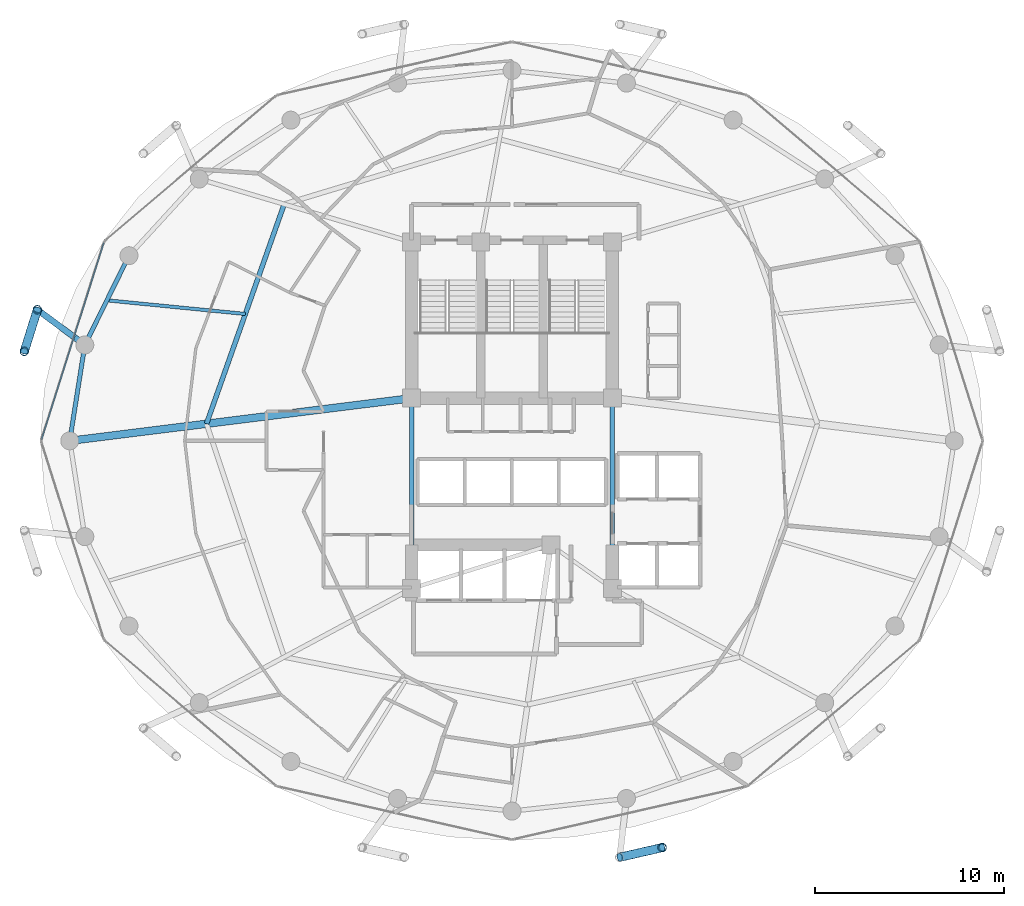
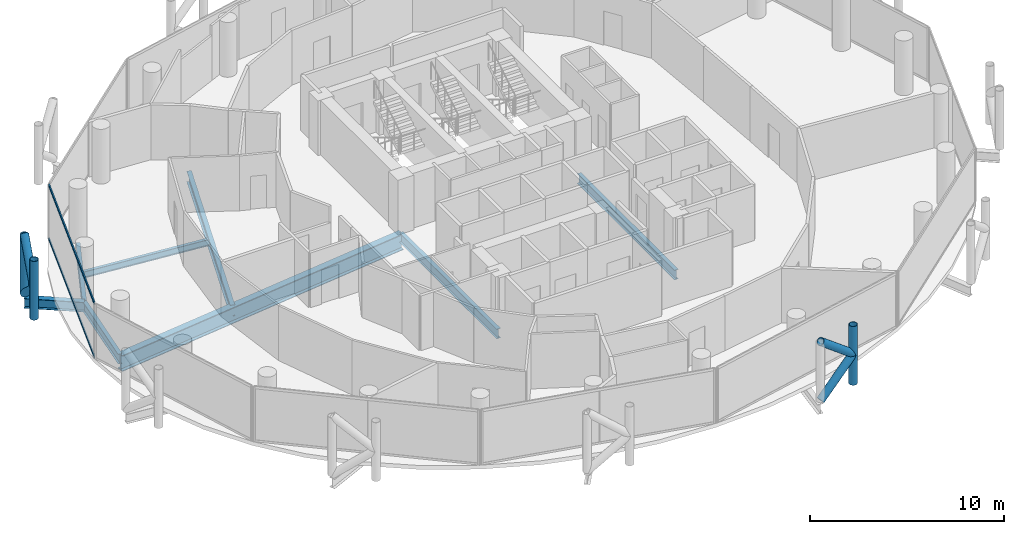
# One storey, part 7 of 26: 9 members, 8 beams, 1 element without a shape of its own.
"""IFC4 building model written with IfcOpenShell, lengths in metres."""

import ifcopenshell
import ifcopenshell.guid

model = None  # the IFC model being written
_history = None  # IfcOwnerHistory: only IFC2X3 demands one
_inside = {}  # id of a spatial element -> (the spatial element, [elements in it])
_under = {}  # id of a project, library or spatial element -> (it, [spatial elements below it])
_declared = {}  # id of a project -> (the project, [libraries it declares])
_typed = {}  # id of a type object -> (the type object, [elements of that type])
_made_of = {}  # id of a material, layer set ... -> (it, [elements and type objects made of it])


def new_model(schema):
    """Start an empty IFC model of exactly this schema.

    Asked for "IFC4X3", IfcOpenShell would pick the latest addendum, in which some entities
    have other attributes; the version numbers below select the first issue.
    IFC2X3 requires an IfcOwnerHistory on every rooted entity: one is made here for all.
    """
    global model, _history
    if schema == "IFC4X3":
        model = ifcopenshell.file(schema_version=(4, 3, 0, 0))
    else:
        model = ifcopenshell.file(schema=schema)
    _inside.clear()
    _under.clear()
    _declared.clear()
    _typed.clear()
    _made_of.clear()
    _history = None
    if model.schema == "IFC2X3":
        org = make("IfcOrganization", Name="unknown")
        user = make(
            "IfcPersonAndOrganization",
            ThePerson=make("IfcPerson", FamilyName="unknown"),
            TheOrganization=org,
        )
        app = make(
            "IfcApplication",
            ApplicationDeveloper=org,
            Version="unknown",
            ApplicationFullName="unknown",
            ApplicationIdentifier="unknown",
        )
        _history = make(
            "IfcOwnerHistory",
            OwningUser=user,
            OwningApplication=app,
            ChangeAction="ADDED",
            CreationDate=0,
        )
    return model


def make(cls, **values):
    """One entity of the class cls with the attributes given. An attribute that is None is left unset."""
    return model.create_entity(
        cls, **{name: value for name, value in values.items() if value is not None}
    )


def rooted(cls, **values):
    """An entity with a GlobalId (a new one), such as an element, a storey or a relation."""
    return make(cls, GlobalId=ifcopenshell.guid.new(), OwnerHistory=_history, **values)


def si_unit(unit_type, name, prefix=None):
    """IfcSIUnit, for example si_unit("LENGTHUNIT", "METRE", prefix="MILLI")."""
    return make("IfcSIUnit", UnitType=unit_type, Prefix=prefix, Name=name)


def assignment(units):
    """IfcUnitAssignment: the units of a project."""
    return None if units is None else make("IfcUnitAssignment", Units=units)


def point(xyz):
    """IfcCartesianPoint."""
    return None if xyz is None else make("IfcCartesianPoint", Coordinates=xyz)


def direction(xyz):
    """IfcDirection."""
    return None if xyz is None else make("IfcDirection", DirectionRatios=xyz)


def frame(location, z_axis=None, x_axis=None):
    """IfcAxis2Placement3D, a coordinate frame: its origin and axes. An axis left out is left unset."""
    return make(
        "IfcAxis2Placement3D",
        Location=point(location),
        Axis=direction(z_axis),
        RefDirection=direction(x_axis),
    )


def frame_2d(location, x_axis=None):
    """IfcAxis2Placement2D, a coordinate frame in the plane: its origin and x axis."""
    return make(
        "IfcAxis2Placement2D", Location=point(location), RefDirection=direction(x_axis)
    )


def origin():
    """The frame at (0, 0, 0) with its axes left unset."""
    return frame((0.0, 0.0, 0.0))


def origin_2d():
    """The frame at (0, 0) in the plane with its x axis left unset."""
    return frame_2d((0.0, 0.0))


def place(relative_to, where):
    """IfcLocalPlacement: puts the frame where relative to a parent placement (None: the world)."""
    return make(
        "IfcLocalPlacement", PlacementRelTo=relative_to, RelativePlacement=where
    )


def context(
    kind, dimensions, precision=None, world=None, true_north=None, identifier=None
):
    """IfcGeometricRepresentationContext, for example the 3D "Model" context."""
    return make(
        "IfcGeometricRepresentationContext",
        ContextIdentifier=identifier,
        ContextType=kind,
        CoordinateSpaceDimension=dimensions,
        Precision=precision,
        WorldCoordinateSystem=world,
        TrueNorth=true_north,
    )


def subcontext(parent, identifier, kind, view, scale=None):
    """IfcGeometricRepresentationSubContext, for example "Body" below "Model"."""
    return make(
        "IfcGeometricRepresentationSubContext",
        ContextIdentifier=identifier,
        ContextType=kind,
        ParentContext=parent,
        TargetScale=scale,
        TargetView=view,
    )


def project(units=None, contexts=None):
    """IfcProject with its units and contexts."""
    return rooted(
        "IfcProject",
        Name="project",
        RepresentationContexts=contexts,
        UnitsInContext=assignment(units),
    )


def spatial(cls, under=None, at=None, **own):
    """A site, building, storey or space (cls), placed at a placement, below another one or the project."""
    s = rooted(cls, ObjectPlacement=at, **own)
    if under is not None:
        _under.setdefault(under.id(), (under, []))[1].append(s)
    return s


def profile(cls, at=None, kind="AREA", **sizes):
    """A parametric profile (cls). Its sizes go by their IFC names, for example OverallWidth=200.0."""
    return make(cls, ProfileType=kind, Position=at, **sizes)


def hollow_rectangle(**sizes):
    """IfcRectangleHollowProfileDef."""
    return profile("IfcRectangleHollowProfileDef", **sizes)


def hollow_circle(**sizes):
    """IfcCircleHollowProfileDef."""
    return profile("IfcCircleHollowProfileDef", **sizes)


def i_section(**sizes):
    """IfcIShapeProfileDef."""
    return profile("IfcIShapeProfileDef", **sizes)


def extrude(swept, where, along, depth):
    """IfcExtrudedAreaSolid: the profile swept, set in the frame where, extruded along a direction by depth."""
    return make(
        "IfcExtrudedAreaSolid",
        SweptArea=swept,
        Position=where,
        ExtrudedDirection=direction(along),
        Depth=depth,
    )


def shape(context_of_items, identifier, shape_type, items):
    """IfcShapeRepresentation: the items that make up one representation, for example the "Body"."""
    return make(
        "IfcShapeRepresentation",
        ContextOfItems=context_of_items,
        RepresentationIdentifier=identifier,
        RepresentationType=shape_type,
        Items=items,
    )


def material(Name=None, Category=None):
    """IfcMaterial."""
    return make("IfcMaterial", Name=Name, Category=Category)


def layer(
    of_material, thickness, ventilated=None, Name=None, Category=None, Priority=None
):
    """IfcMaterialLayer: one layer of a wall or slab, of a material (None: an air gap)."""
    return make(
        "IfcMaterialLayer",
        Material=of_material,
        LayerThickness=thickness,
        IsVentilated=ventilated,
        Name=Name,
        Category=Category,
        Priority=Priority,
    )


def layer_set(layers, Name=None):
    """IfcMaterialLayerSet."""
    return make("IfcMaterialLayerSet", MaterialLayers=layers, LayerSetName=Name)


def material_profile(
    of_material, cross_section, Name=None, Category=None, Priority=None
):
    """IfcMaterialProfile: a cross section and its material."""
    return make(
        "IfcMaterialProfile",
        Name=Name,
        Material=of_material,
        Profile=cross_section,
        Priority=Priority,
        Category=Category,
    )


def profile_set(profiles, Name=None, composite=None):
    """IfcMaterialProfileSet."""
    return make(
        "IfcMaterialProfileSet",
        Name=Name,
        MaterialProfiles=profiles,
        CompositeProfile=composite,
    )


def made_of(thing, what):
    """Note that an element or type object is made of a material, layer set ...; save() writes the relation."""
    if what is not None:
        _made_of.setdefault(what.id(), (what, []))[1].append(thing)
    return thing


def type_object(cls, material=None, **own):
    """A type object (cls), such as IfcWallType, which elements share."""
    return made_of(rooted(cls, **own), material)


def element(
    cls,
    number,
    at=None,
    inside=None,
    cuts=None,
    type_object=None,
    material=None,
    context=None,
    identifier="Body",
    shape_type=None,
    held_by="IfcProductDefinitionShape",
    body=None,
    shapes=None,
    **own,
):
    """One element of the class cls, such as IfcWall. Its Tag is "e" and its number.

    at: its placement. inside: the storey or other place that contains it. cuts: it is an
    opening in that element (IfcRelVoidsElement). A single representation is given by context,
    identifier, shape_type and body (its items); several are given by shapes. held_by: the class
    of the entity that holds the representations. save() writes the other relations.
    """
    e = rooted(cls, Tag="e%d" % number, ObjectPlacement=at, **own)
    if body is not None:
        shapes = [shape(context, identifier, shape_type, body)]
    if shapes is not None:
        e.Representation = make(held_by, Representations=shapes)
    if inside is not None:
        _inside.setdefault(inside.id(), (inside, []))[1].append(e)
    if cuts is not None:
        rooted(
            "IfcRelVoidsElement", RelatingBuildingElement=cuts, RelatedOpeningElement=e
        )
    if type_object is not None:
        _typed.setdefault(type_object.id(), (type_object, []))[1].append(e)
    return made_of(e, material)


def aggregate(whole, parts):
    """IfcRelAggregates: a whole, such as a stair, and the parts it consists of."""
    return rooted("IfcRelAggregates", RelatingObject=whole, RelatedObjects=parts)


def save(model, path):
    """Write the relations noted so far, then the file.

    IfcRelAggregates (storeys below a building ...), IfcRelContainedInSpatialStructure (elements
    in a storey), IfcRelDefinesByType, IfcRelAssociatesMaterial and IfcRelDeclares: one each for
    every whole, place, type object, material and project.
    """
    for whole, parts in _under.values():
        aggregate(whole, parts)
    for where, things in _inside.values():
        rooted(
            "IfcRelContainedInSpatialStructure",
            RelatedElements=things,
            RelatingStructure=where,
        )
    for kind, things in _typed.values():
        rooted("IfcRelDefinesByType", RelatedObjects=things, RelatingType=kind)
    for what, things in _made_of.values():
        rooted("IfcRelAssociatesMaterial", RelatedObjects=things, RelatingMaterial=what)
    for by, libraries in _declared.values():
        rooted("IfcRelDeclares", RelatingContext=by, RelatedDefinitions=libraries)
    model.write(path)


model = new_model("IFC4")

# Units and contexts
model_context = context("Model", 3, precision=1e-05, world=origin(), true_north=direction((0.0, 1.0)))
body_context = subcontext(model_context, "Body", "Model", "MODEL_VIEW")
ifc_project = project(units=[si_unit("LENGTHUNIT", "METRE"), si_unit("AREAUNIT", "SQUARE_METRE"), si_unit("VOLUMEUNIT", "CUBIC_METRE"), si_unit("PLANEANGLEUNIT", "RADIAN"), si_unit("MASSUNIT", "GRAM", prefix="KILO")], contexts=[model_context])

# Site, building, storey
site_placement = place(None, origin())
site = spatial("IfcSite", under=ifc_project, at=site_placement, CompositionType="ELEMENT")
building_placement = place(site_placement, origin())
building = spatial("IfcBuilding", under=site, at=building_placement, Name="Nuhasar Tower", CompositionType="ELEMENT")
storey_placement = place(building_placement, frame((0.0, 0.0, 170.050048828125)))
storey = spatial("IfcBuildingStorey", under=building, at=storey_placement, Name="L41", CompositionType="ELEMENT", Elevation=170.050048828125)

# Beams
ifc_material_1 = material(Name="Steel S355", Category="steel")
ifc_material_profile_1 = material_profile(ifc_material_1, i_section(OverallWidth=0.25390625, OverallDepth=0.68408203125, WebThickness=0.012451171875, FlangeThickness=0.018798828125, at=origin_2d()), Name="W27X94")
ifc_profile_set_1 = profile_set([ifc_material_profile_1], Name="Steel S355")
beam_type_1 = type_object("IfcBeamType", Name="BM-INRING-W27X94", PredefinedType="BEAM", material=ifc_profile_set_1)
beam_1_placement = place(storey_placement, frame((26.972900390625, 39.2939453125, -0.592041015625), z_axis=(-0.333599821096, -0.942714781556, 0.0), x_axis=(0.942714781556, -0.333599821096, 0.0)))
element("IfcBeam", 1, at=beam_1_placement, inside=storey, type_object=beam_type_1, Name="L41 Inner Header Beam 07", PredefinedType="BEAM", context=body_context, shape_type="SweptSolid", body=[
    extrude(i_section(OverallWidth=0.25390625, OverallDepth=0.68408203125, WebThickness=0.012451171875, FlangeThickness=0.018798828125, at=origin_2d()), origin(), (0.0, 0.0, 1.0), 12.298583984375),
])
ifc_material_profile_2 = material_profile(ifc_material_1, i_section(OverallWidth=0.177978515625, OverallDepth=0.406005859375, WebThickness=0.0078125, FlangeThickness=0.0126953125, at=origin_2d()), Name="W16X40")
ifc_profile_set_2 = profile_set([ifc_material_profile_2], Name="Steel S355")
beam_type_2 = type_object("IfcBeamType", Name="BM-JST-W16X40", PredefinedType="JOIST", material=ifc_profile_set_2)
beam_2_placement = place(storey_placement, frame((24.922119140625, 33.4970703125, -0.453125), z_axis=(-0.995171845755, 0.098147834497, 0.0), x_axis=(-0.098147834497, -0.995171845755, 0.0)))
element("IfcBeam", 2, at=beam_2_placement, inside=storey, type_object=beam_type_2, Name="L41 Secondary Floor Joist 07", PredefinedType="JOIST", context=body_context, shape_type="SweptSolid", body=[
    extrude(i_section(OverallWidth=0.177978515625, OverallDepth=0.406005859375, WebThickness=0.0078125, FlangeThickness=0.0126953125, at=origin_2d()), origin(), (0.0, 0.0, 1.0), 7.345458984375),
])
ifc_material_profile_3 = material_profile(ifc_material_1, i_section(OverallWidth=0.22900390625, OverallDepth=0.612060546875, WebThickness=0.011962890625, FlangeThickness=0.01953125, at=origin_2d()), Name="W24X84")
ifc_profile_set_3 = profile_set([ifc_material_profile_3], Name="Steel S355")
beam_type_3 = type_object("IfcBeamType", Name="BM-RAD-W24X84", PredefinedType="BEAM", material=ifc_profile_set_3)
for number, where, z_axis, x_axis, name in (
    (3, (44.300048828125, 19.0, -0.55615234375), (0.0, 1.0, 0.0), (-1.0, 0.0, 0.0), "L41 Core Ring Girder 3"),
    (4, (33.699951171875, 29.050048828125, -0.55615234375), (0.0, -1.0, 0.0), (1.0, 0.0, 0.0), "L41 Core Ring Girder 8"),
):
    element("IfcBeam", number, at=place(storey_placement, frame(where, z_axis=z_axis, x_axis=x_axis)), inside=storey, type_object=beam_type_3, Name=name, PredefinedType="BEAM", context=body_context, shape_type="SweptSolid", body=[
        extrude(i_section(OverallWidth=0.22900390625, OverallDepth=0.612060546875, WebThickness=0.011962890625, FlangeThickness=0.01953125, at=origin_2d()), origin(), (0.0, 0.0, 1.0), 10.050048828125),
    ])
ifc_material_profile_4 = material_profile(ifc_material_1, i_section(OverallWidth=0.22998046875, OverallDepth=0.616943359375, WebThickness=0.01318359375, FlangeThickness=0.022216796875, at=origin_2d()), Name="W24X94")
ifc_profile_set_4 = profile_set([ifc_material_profile_4], Name="Steel S355")
beam_type_4 = type_object("IfcBeamType", Name="BM-RING-W24X94", PredefinedType="SPANDREL", material=ifc_profile_set_4)
beam_3_placement = place(storey_placement, frame((18.778076171875, 36.574951171875, -0.55810546875), z_axis=(-0.443347771709, -0.896349682501, 0.0), x_axis=(0.896349682501, -0.443347771709, 0.0)))
element("IfcBeam", 5, at=beam_3_placement, inside=storey, type_object=beam_type_4, Name="L41 Perimeter Ring Spandrel 11", PredefinedType="SPANDREL", context=body_context, shape_type="SweptSolid", body=[
    extrude(i_section(OverallWidth=0.22998046875, OverallDepth=0.616943359375, WebThickness=0.01318359375, FlangeThickness=0.022216796875, at=origin_2d()), origin(), (0.0, 0.0, 1.0), 5.260009765625),
])
beam_4_placement = place(storey_placement, frame((16.446044921875, 31.860107421875, -0.55810546875), z_axis=(-0.155426543608, -0.987847452566, 0.0), x_axis=(0.987847452566, -0.155426543608, 0.0)))
element("IfcBeam", 6, at=beam_4_placement, inside=storey, type_object=beam_type_4, Name="L41 Perimeter Ring Spandrel 12", PredefinedType="SPANDREL", context=body_context, shape_type="SweptSolid", body=[
    extrude(i_section(OverallWidth=0.22998046875, OverallDepth=0.616943359375, WebThickness=0.01318359375, FlangeThickness=0.022216796875, at=origin_2d()), origin(), (0.0, 0.0, 1.0), 5.122314453125),
])
ifc_material_profile_5 = material_profile(ifc_material_1, i_section(OverallWidth=0.323974609375, OverallDepth=0.611083984375, WebThickness=0.0126953125, FlangeThickness=0.01904296875, at=origin_2d()), Name="W24X104")
ifc_profile_set_5 = profile_set([ifc_material_profile_5], Name="Steel S355")
beam_type_5 = type_object("IfcBeamType", Name="BM-TIE-W24X104", PredefinedType="BEAM", material=ifc_profile_set_5)
beam_5_placement = place(storey_placement, frame((16.446044921875, 31.860107421875, -0.554931640625), z_axis=(-0.802872198291, 0.596151183183, 0.0), x_axis=(-0.596151183183, -0.802872198291, 0.0)))
element("IfcBeam", 7, at=beam_5_placement, inside=storey, type_object=beam_type_5, Name="L41 Exoskeleton Node Tie Beam 06", PredefinedType="BEAM", context=body_context, shape_type="SweptSolid", body=[
    extrude(i_section(OverallWidth=0.323974609375, OverallDepth=0.611083984375, WebThickness=0.0126953125, FlangeThickness=0.01904296875, at=origin_2d()), origin(), (0.0, 0.0, 1.0), 3.121337890625),
])
ifc_material_2 = material(Name="Steel S460", Category="steel")
ifc_material_profile_6 = material_profile(ifc_material_2, i_section(OverallWidth=0.40087890625, OverallDepth=1.010009765625, WebThickness=0.023681640625, FlangeThickness=0.0419921875, at=origin_2d()), Name="W40X297")
ifc_profile_set_6 = profile_set([ifc_material_profile_6], Name="Steel S460")
beam_type_6 = type_object("IfcBeamType", Name="BM-XFER-W40X297", PredefinedType="USERDEFINED", material=ifc_profile_set_6)
beam_6_placement = place(storey_placement, frame((33.699951171875, 29.050048828125, -0.755126953125), z_axis=(-0.992320149485, -0.123696082908, 0.0), x_axis=(0.123696082908, -0.992320149485, 0.0)))
element("IfcBeam", 8, at=beam_6_placement, inside=storey, type_object=beam_type_6, Name="L41 Radial Floor Girder 08", ObjectType="GIRDER", PredefinedType="USERDEFINED", context=body_context, shape_type="SweptSolid", body=[
    extrude(i_section(OverallWidth=0.40087890625, OverallDepth=1.010009765625, WebThickness=0.023681640625, FlangeThickness=0.0419921875, at=origin_2d()), origin(), (0.0, 0.0, 1.0), 18.189697265625),
])

# Curtain wall, members
ifc_material_3 = material(Name="Aluminium 6063-T6", Category="aluminium")
ifc_layer = layer(ifc_material_3, 0.199951171875)
ifc_layer_set = layer_set([ifc_layer], Name="Aluminium 6063-T6")
curtain_wall_type = type_object("IfcCurtainWallType", Name="CW-Z2-HTL", PredefinedType="NOTDEFINED", material=ifc_layer_set)
curtain_wall_placement = place(storey_placement, origin())
curtain_wall = element("IfcCurtainWall", 9, at=curtain_wall_placement, inside=storey, type_object=curtain_wall_type, Name="L41 Unitised Curtain Wall 06", PredefinedType="NOTDEFINED")
ifc_material_profile_7 = material_profile(ifc_material_3, hollow_rectangle(XDim=0.070068359375, YDim=0.159912109375, WallThickness=0.00439453125, at=origin_2d()), Name="CWT-3")
ifc_profile_set_7 = profile_set([ifc_material_profile_7], Name="Aluminium 6063-T6")
member_type_1 = type_object("IfcMemberType", Name="CW-TRN-S3", PredefinedType="USERDEFINED", material=ifc_profile_set_7)
member_1_placement = place(storey_placement, frame((17.449951171875, 37.26318359375, 0.034912109375), z_axis=(-0.301608163352, -0.953431967053, 0.0), x_axis=(0.953431967053, -0.301608163352, 0.0)))
member_1 = element("IfcMember", 10, at=member_1_placement, type_object=member_type_1, Name="CW-Z2 transom 1.1", ObjectType="TRANSOM", PredefinedType="USERDEFINED", context=body_context, shape_type="SweptSolid", body=[
    extrude(hollow_rectangle(XDim=0.070068359375, YDim=0.159912109375, WallThickness=0.00439453125, at=origin_2d()), origin(), (0.0, 0.0, 1.0), 10.904296875),
])
member_2_placement = place(storey_placement, frame((17.449951171875, 37.26318359375, 3.4150390625), z_axis=(-0.301608163352, -0.953431967053, 0.0), x_axis=(0.953431967053, -0.301608163352, 0.0)))
member_2 = element("IfcMember", 11, at=member_2_placement, type_object=member_type_1, Name="CW-Z2 transom 1.2", ObjectType="TRANSOM", PredefinedType="USERDEFINED", context=body_context, shape_type="SweptSolid", body=[
    extrude(hollow_rectangle(XDim=0.070068359375, YDim=0.159912109375, WallThickness=0.00439453125, at=origin_2d()), origin(), (0.0, 0.0, 1.0), 10.904296875),
])
aggregate(curtain_wall, [member_1, member_2])

# Members
ifc_material_profile_8 = material_profile(ifc_material_2, hollow_circle(Radius=0.228515625, WallThickness=0.022216796875, at=origin_2d()), Name="HSS457X22.2")
ifc_profile_set_8 = profile_set([ifc_material_profile_8], Name="Steel S460")
member_type_2 = type_object("IfcMemberType", Name="EXO-BRONZE-457", PredefinedType="BRACE", material=ifc_profile_set_8)
for number, where, z_axis, x_axis, name in (
    (12, (13.93994140625, 33.720947265625, 0.0), (0.0, 0.0, 1.0), (1.0, 0.0, 0.0), "L41 Exoskeleton Chord Column EC-06A"),
    (13, (13.251953125, 31.52587890625, 0.0), (0.0, 0.0, 1.0), (1.0, 0.0, 0.0), "L41 Exoskeleton Chord Column EC-06B"),
    (14, (46.927978515625, 5.323974609375, 0.0), (0.0, 0.0, 1.0), (1.0, 0.0, 0.0), "L41 Exoskeleton Chord Column EC-10B"),
):
    element("IfcMember", number, at=place(storey_placement, frame(where, z_axis=z_axis, x_axis=x_axis)), inside=storey, type_object=member_type_2, Name=name, PredefinedType="BRACE", context=body_context, shape_type="SweptSolid", body=[
        extrude(hollow_circle(Radius=0.228515625, WallThickness=0.022216796875, at=origin_2d()), origin(), (0.0, 0.0, 1.0), 3.699951171875),
    ])
member_3_placement = place(storey_placement, frame((13.93994140625, 33.720947265625, 0.0), z_axis=(-0.233067628236, -0.74361641074, 0.626669062861), x_axis=(0.954228474306, -0.29907861646, 0.0)))
element("IfcMember", 15, at=member_3_placement, inside=storey, type_object=member_type_2, Name="L41 Bronze Diagrid Brace W1-06", PredefinedType="BRACE", context=body_context, shape_type="SweptSolid", body=[
    extrude(hollow_circle(Radius=0.228515625, WallThickness=0.022216796875, at=origin_2d()), origin(), (0.0, 0.0, 1.0), 2.951904296875),
])
member_4_placement = place(storey_placement, frame((13.251953125, 31.52587890625, 1.849853515625), z_axis=(0.233055548538, 0.743577869731, 0.626719285599), x_axis=(-0.954228474306, 0.29907861646, 0.0)))
element("IfcMember", 16, at=member_4_placement, inside=storey, type_object=member_type_2, Name="L41 Bronze Diagrid Brace W2-06", PredefinedType="BRACE", context=body_context, shape_type="SweptSolid", body=[
    extrude(hollow_circle(Radius=0.228515625, WallThickness=0.022216796875, at=origin_2d()), origin(), (0.0, 0.0, 1.0), 2.9521484375),
])
member_5_placement = place(storey_placement, frame((44.68603515625, 4.81005859375, 0.0), z_axis=(0.759549860492, 0.174110035537, 0.626713415327), x_axis=(-0.223432882746, 0.974719316987, 0.0)))
element("IfcMember", 17, at=member_5_placement, inside=storey, type_object=member_type_2, Name="L41 Bronze Diagrid Brace W1-10", PredefinedType="BRACE", context=body_context, shape_type="SweptSolid", body=[
    extrude(hollow_circle(Radius=0.228515625, WallThickness=0.022216796875, at=origin_2d()), origin(), (0.0, 0.0, 1.0), 2.95166015625),
])
member_6_placement = place(storey_placement, frame((46.927978515625, 5.323974609375, 1.849853515625), z_axis=(-0.759510488094, -0.174101010284, 0.626763637022), x_axis=(0.223432882746, -0.974719316987, 0.0)))
element("IfcMember", 18, at=member_6_placement, inside=storey, type_object=member_type_2, Name="L41 Bronze Diagrid Brace W2-10", PredefinedType="BRACE", context=body_context, shape_type="SweptSolid", body=[
    extrude(hollow_circle(Radius=0.228515625, WallThickness=0.022216796875, at=origin_2d()), origin(), (0.0, 0.0, 1.0), 2.951904296875),
])

save(model, "model.ifc")
